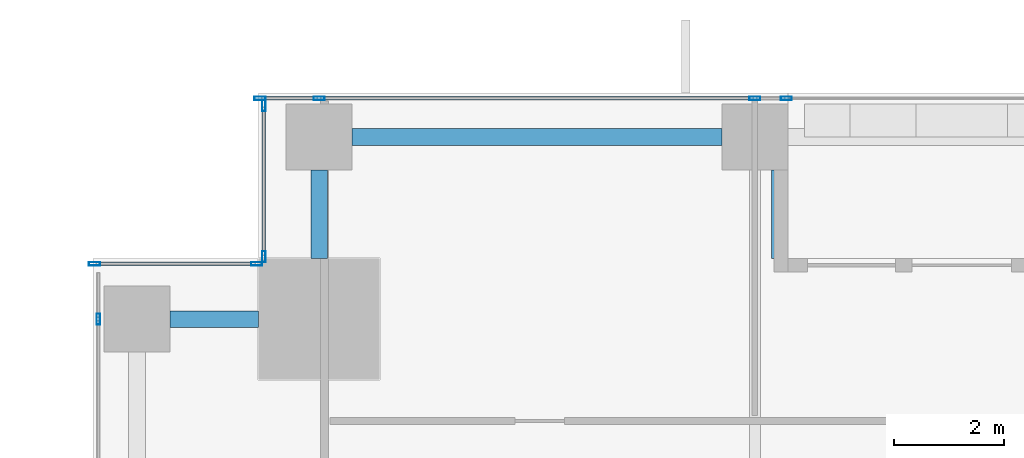
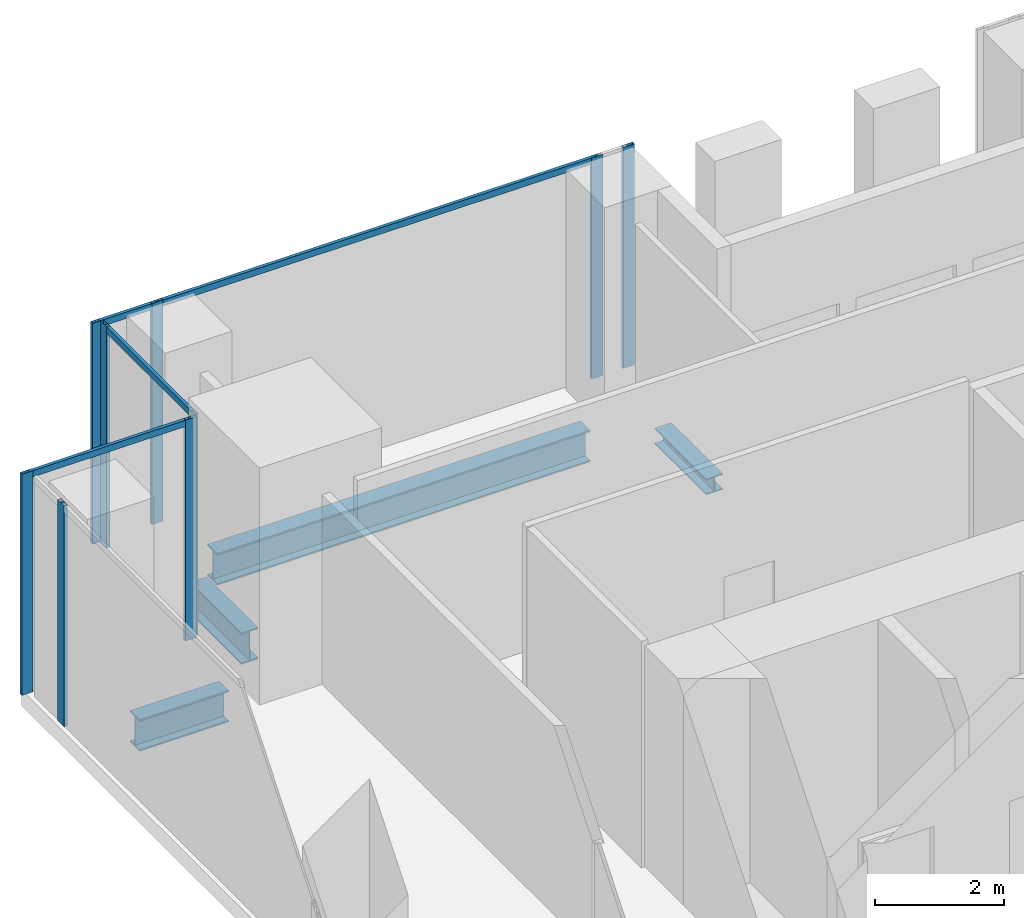
# One storey, part 14 of 32: 13 members, 4 beams, 4 elements without a shape of their own.
"""IFC4 building model written with IfcOpenShell, lengths in metres."""

from ifc_helpers import new_model, si_unit, direction, frame, origin, origin_2d, place, context, subcontext, project, spatial, hollow_rectangle, i_section, extrude, source, transform, mapped, material, material_profile, profile_set, type_object, element, aggregate, save


model = new_model("IFC4")

# Units and contexts
model_context = context("Model", 3, precision=1e-05, world=origin(), true_north=direction((0.0, 1.0)))
body_context = subcontext(model_context, "Body", "Model", "MODEL_VIEW")
ifc_project = project(units=[si_unit("LENGTHUNIT", "METRE"), si_unit("AREAUNIT", "SQUARE_METRE"), si_unit("VOLUMEUNIT", "CUBIC_METRE"), si_unit("PLANEANGLEUNIT", "RADIAN"), si_unit("MASSUNIT", "GRAM", prefix="KILO")], contexts=[model_context])

# Site, building, storey
site_placement = place(None, origin())
site = spatial("IfcSite", under=ifc_project, at=site_placement, CompositionType="ELEMENT")
building_placement = place(site_placement, origin())
building = spatial("IfcBuilding", under=site, at=building_placement, Name="Khomas Fold Tower", CompositionType="ELEMENT")
storey_placement = place(building_placement, frame((0.0, 0.0, 42.0)))
storey = spatial("IfcBuildingStorey", under=building, at=storey_placement, Name="L08", CompositionType="ELEMENT", Elevation=42.0)

# Beams
ifc_material_1 = material(Name="Steel S355", Category="steel")
ifc_material_profile_1 = material_profile(ifc_material_1, i_section(OverallWidth=0.300048828125, OverallDepth=0.60009765625, WebThickness=0.015380859375, FlangeThickness=0.030029296875, at=origin_2d()), Name="HE 600 B")
ifc_profile_set_1 = profile_set([ifc_material_profile_1], Name="Steel S355")
beam_type_1 = type_object("IfcBeamType", Name="HE 600 B spandrel SB1", PredefinedType="SPANDREL", material=ifc_profile_set_1)
shared_shape_1 = source(origin(), body_context, "Body", "SweptSolid", [
    extrude(i_section(OverallWidth=0.300048828125, OverallDepth=0.60009765625, WebThickness=0.015380859375, FlangeThickness=0.030029296875, at=origin_2d()), origin(), (0.0, 0.0, 1.0), 6.699951171875),
])
beam_1_placement = place(storey_placement, frame((4.699951171875, 53.199951171875, -0.60009765625), z_axis=(1.0, 0.0, 0.0), x_axis=(0.0, 1.0, 0.0)))
element("IfcBeam", 1, at=beam_1_placement, inside=storey, type_object=beam_type_1, Name="SB1", PredefinedType="SPANDREL", context=body_context, shape_type="MappedRepresentation", body=[
    mapped(shared_shape_1, transform((0.0, 0.0, 0.0))),
])
shared_shape_2 = source(origin(), body_context, "Body", "SweptSolid", [
    extrude(i_section(OverallWidth=0.300048828125, OverallDepth=0.60009765625, WebThickness=0.015380859375, FlangeThickness=0.030029296875, at=origin_2d()), origin(), (0.0, 0.0, 1.0), 1.60009765625),
])
for number, where, z_axis, x_axis, name in (
    (2, (4.10009765625, 51.0, -0.60009765625), (0.0, 1.0, 0.0), (-1.0, 0.0, 0.0), "SB1"),
    (3, (1.39990234375, 49.89990234375, -0.60009765625), (1.0, 0.0, 0.0), (0.0, 1.0, 0.0), "SB1"),
):
    element("IfcBeam", number, at=place(storey_placement, frame(where, z_axis=z_axis, x_axis=x_axis)), inside=storey, type_object=beam_type_1, Name=name, PredefinedType="SPANDREL", context=body_context, shape_type="MappedRepresentation", body=[
        mapped(shared_shape_2, transform((0.0, 0.0, 0.0))),
    ])
ifc_material_2 = material(Name="Steel S355", Category="steel")
ifc_material_profile_2 = material_profile(ifc_material_2, i_section(OverallWidth=0.300048828125, OverallDepth=0.300048828125, WebThickness=0.010986328125, FlangeThickness=0.01904296875, at=origin_2d()), Name="HE 300 B")
ifc_profile_set_2 = profile_set([ifc_material_profile_2], Name="Steel S355")
beam_type_2 = type_object("IfcBeamType", Name="HE 300 B beam BB1", PredefinedType="BEAM", material=ifc_profile_set_2)
shared_shape_3 = source(origin(), body_context, "Body", "SweptSolid", [
    extrude(i_section(OverallWidth=0.300048828125, OverallDepth=0.300048828125, WebThickness=0.010986328125, FlangeThickness=0.01904296875, at=origin_2d()), origin(), (0.0, 0.0, 1.0), 1.60009765625),
])
beam_2_placement = place(storey_placement, frame((12.449951171875, 51.0, -0.449951171875), z_axis=(0.0, 1.0, 0.0), x_axis=(-1.0, 0.0, 0.0)))
element("IfcBeam", 4, at=beam_2_placement, inside=storey, type_object=beam_type_2, Name="BB1", PredefinedType="BEAM", context=body_context, shape_type="MappedRepresentation", body=[
    mapped(shared_shape_3, transform((0.0, 0.0, 0.0))),
])

# Curtain wall, members
ifc_material_3 = material(Name="Aluminium framed double glazing", Category="aluminium")
curtain_wall_type = type_object("IfcCurtainWallType", Name="SK-Unitised clear-glass wall, growing floors CW1", PredefinedType="NOTDEFINED", material=ifc_material_3)
curtain_wall_1_placement = place(storey_placement, origin())
curtain_wall_1 = element("IfcCurtainWall", 5, at=curtain_wall_1_placement, inside=storey, type_object=curtain_wall_type, Name="CW1 run L08 06-1", PredefinedType="NOTDEFINED")
ifc_material_4 = material(Name="Aluminium", Category="aluminium")
ifc_material_profile_3 = material_profile(ifc_material_4, hollow_rectangle(XDim=0.06005859375, YDim=0.1201171875, WallThickness=0.00390625, at=origin_2d()), Name="SK-Unitised clear-glass wall, growing floors transom CW1-T")
ifc_profile_set_3 = profile_set([ifc_material_profile_3], Name="Aluminium")
member_type_1 = type_object("IfcMemberType", Name="SK-Unitised clear-glass wall, growing floors transom CW1-T", PredefinedType="USERDEFINED", material=ifc_profile_set_3)
shared_shape_4 = source(origin(), body_context, "Body", "SweptSolid", [
    extrude(hollow_rectangle(XDim=0.06005859375, YDim=0.1201171875, WallThickness=0.00390625, at=origin_2d()), origin(), (0.0, 0.0, 1.0), 7.840087890625),
])
member_1_placement = place(storey_placement, frame((11.969970703125, 53.89990234375, 4.139892578125), z_axis=(-1.0, 0.0, 0.0), x_axis=(0.0, -1.0, 0.0)))
member_1 = element("IfcMember", 6, at=member_1_placement, type_object=member_type_1, Name="CW1 transom 2", ObjectType="TRANSOM", PredefinedType="USERDEFINED", context=body_context, shape_type="MappedRepresentation", body=[
    mapped(shared_shape_4, transform((0.0, 0.0, 0.0))),
])
shared_shape_5 = source(origin(), body_context, "Body", "SweptSolid", [
    extrude(hollow_rectangle(XDim=0.06005859375, YDim=0.1201171875, WallThickness=0.00390625, at=origin_2d()), origin(), (0.0, 0.0, 1.0), 1.010009765625),
])
member_2_placement = place(storey_placement, frame((4.070068359375, 53.89990234375, 4.139892578125), z_axis=(-1.0, 0.0, 0.0), x_axis=(0.0, -1.0, 0.0)))
member_2 = element("IfcMember", 7, at=member_2_placement, type_object=member_type_1, Name="CW1 transom 3", ObjectType="TRANSOM", PredefinedType="USERDEFINED", context=body_context, shape_type="MappedRepresentation", body=[
    mapped(shared_shape_5, transform((0.0, 0.0, 0.0))),
])

# Curtain wall, member
curtain_wall_2_placement = place(storey_placement, origin())
curtain_wall_2 = element("IfcCurtainWall", 8, at=curtain_wall_2_placement, inside=storey, type_object=curtain_wall_type, Name="CW1 corner return L08 07", PredefinedType="NOTDEFINED")
shared_shape_6 = source(origin(), body_context, "Body", "SweptSolid", [
    extrude(hollow_rectangle(XDim=0.06005859375, YDim=0.1201171875, WallThickness=0.00390625, at=origin_2d()), origin(), (0.0, 0.0, 1.0), 2.679931640625),
])
member_3_placement = place(storey_placement, frame((3.10009765625, 53.739990234375, 4.139892578125), z_axis=(0.0, -1.0, 0.0), x_axis=(1.0, 0.0, 0.0)))
member_3 = element("IfcMember", 9, at=member_3_placement, type_object=member_type_1, Name="CW1 transom 1", ObjectType="TRANSOM", PredefinedType="USERDEFINED", context=body_context, shape_type="MappedRepresentation", body=[
    mapped(shared_shape_6, transform((0.0, 0.0, 0.0))),
])

curtain_wall_3_placement = place(storey_placement, origin())
curtain_wall_3 = element("IfcCurtainWall", 10, at=curtain_wall_3_placement, inside=storey, type_object=curtain_wall_type, Name="CW1 corner return L08 08", PredefinedType="NOTDEFINED")
shared_shape_7 = source(origin(), body_context, "Body", "SweptSolid", [
    extrude(hollow_rectangle(XDim=0.06005859375, YDim=0.1201171875, WallThickness=0.00390625, at=origin_2d()), origin(), (0.0, 0.0, 1.0), 2.8798828125),
])
member_4_placement = place(storey_placement, frame((2.93994140625, 50.89990234375, 4.139892578125), z_axis=(-1.0, 0.0, 0.0), x_axis=(0.0, -1.0, 0.0)))
member_4 = element("IfcMember", 11, at=member_4_placement, type_object=member_type_1, Name="CW1 transom 1", ObjectType="TRANSOM", PredefinedType="USERDEFINED", context=body_context, shape_type="MappedRepresentation", body=[
    mapped(shared_shape_7, transform((0.0, 0.0, 0.0))),
])

# Member
ifc_material_5 = material(Name="Aluminium", Category="aluminium")
ifc_material_profile_4 = material_profile(ifc_material_5, hollow_rectangle(XDim=0.06005859375, YDim=0.199951171875, WallThickness=0.00390625, at=origin_2d()), Name="SK-Unitised clear-glass wall, growing floors mullion CW1-M")
ifc_profile_set_4 = profile_set([ifc_material_profile_4], Name="Aluminium")
member_type_2 = type_object("IfcMemberType", Name="SK-Unitised clear-glass wall, growing floors mullion CW1-M", PredefinedType="MULLION", material=ifc_profile_set_4)
shared_shape_8 = source(origin(), body_context, "Body", "SweptSolid", [
    extrude(hollow_rectangle(XDim=0.06005859375, YDim=0.199951171875, WallThickness=0.00390625, at=origin_2d()), origin(), (0.0, 0.0, 1.0), 4.199951171875),
])
member_5_placement = place(storey_placement, frame((12.570068359375, 53.89990234375, 0.0), z_axis=(0.0, 0.0, 1.0), x_axis=(0.0, -1.0, 0.0)))
member_5 = element("IfcMember", 12, at=member_5_placement, type_object=member_type_2, Name="CW1 mullion 1", PredefinedType="MULLION", context=body_context, shape_type="MappedRepresentation", body=[
    mapped(shared_shape_8, transform((0.0, 0.0, 0.0))),
])

member_6_placement = place(storey_placement, frame((12.0, 53.89990234375, 0.0), z_axis=(0.0, 0.0, 1.0), x_axis=(0.0, -1.0, 0.0)))
member_6 = element("IfcMember", 13, at=member_6_placement, type_object=member_type_2, Name="CW1 mullion 2", PredefinedType="MULLION", context=body_context, shape_type="MappedRepresentation", body=[
    mapped(shared_shape_8, transform((0.0, 0.0, 0.0))),
])

member_7_placement = place(storey_placement, frame((4.10009765625, 53.89990234375, 0.0), z_axis=(0.0, 0.0, 1.0), x_axis=(0.0, -1.0, 0.0)))
member_7 = element("IfcMember", 14, at=member_7_placement, type_object=member_type_2, Name="CW1 mullion 3", PredefinedType="MULLION", context=body_context, shape_type="MappedRepresentation", body=[
    mapped(shared_shape_8, transform((0.0, 0.0, 0.0))),
])

member_8_placement = place(storey_placement, frame((3.030029296875, 53.89990234375, 0.0), z_axis=(0.0, 0.0, 1.0), x_axis=(0.0, -1.0, 0.0)))
member_8 = element("IfcMember", 15, at=member_8_placement, type_object=member_type_2, Name="CW1 mullion 4", PredefinedType="MULLION", context=body_context, shape_type="MappedRepresentation", body=[
    mapped(shared_shape_8, transform((0.0, 0.0, 0.0))),
])

aggregate(curtain_wall_1, [member_5, member_6, member_7, member_8, member_1, member_2])

member_9_placement = place(storey_placement, frame((3.10009765625, 53.77001953125, 0.0), z_axis=(0.0, 0.0, 1.0), x_axis=(1.0, 0.0, 0.0)))
member_9 = element("IfcMember", 16, at=member_9_placement, type_object=member_type_2, Name="CW1 mullion 1", PredefinedType="MULLION", context=body_context, shape_type="MappedRepresentation", body=[
    mapped(shared_shape_8, transform((0.0, 0.0, 0.0))),
])

member_10_placement = place(storey_placement, frame((3.10009765625, 51.030029296875, 0.0), z_axis=(0.0, 0.0, 1.0), x_axis=(1.0, 0.0, 0.0)))
member_10 = element("IfcMember", 17, at=member_10_placement, type_object=member_type_2, Name="CW1 mullion 2", PredefinedType="MULLION", context=body_context, shape_type="MappedRepresentation", body=[
    mapped(shared_shape_8, transform((0.0, 0.0, 0.0))),
])

aggregate(curtain_wall_2, [member_9, member_10, member_3])

member_11_placement = place(storey_placement, frame((2.969970703125, 50.89990234375, 0.0), z_axis=(0.0, 0.0, 1.0), x_axis=(0.0, -1.0, 0.0)))
member_11 = element("IfcMember", 18, at=member_11_placement, type_object=member_type_2, Name="CW1 mullion 1", PredefinedType="MULLION", context=body_context, shape_type="MappedRepresentation", body=[
    mapped(shared_shape_8, transform((0.0, 0.0, 0.0))),
])

member_12_placement = place(storey_placement, frame((0.030029296875, 50.89990234375, 0.0), z_axis=(0.0, 0.0, 1.0), x_axis=(0.0, -1.0, 0.0)))
member_12 = element("IfcMember", 19, at=member_12_placement, type_object=member_type_2, Name="CW1 mullion 2", PredefinedType="MULLION", context=body_context, shape_type="MappedRepresentation", body=[
    mapped(shared_shape_8, transform((0.0, 0.0, 0.0))),
])

aggregate(curtain_wall_3, [member_11, member_12, member_4])

# Curtain wall, member
curtain_wall_4_placement = place(storey_placement, origin())
curtain_wall_4 = element("IfcCurtainWall", 20, at=curtain_wall_4_placement, inside=storey, type_object=curtain_wall_type, Name="CW1 run L08 09-0", PredefinedType="NOTDEFINED")
member_13_placement = place(storey_placement, frame((0.10009765625, 49.89990234375, 0.0), z_axis=(0.0, 0.0, 1.0), x_axis=(1.0, 0.0, 0.0)))
member_13 = element("IfcMember", 21, at=member_13_placement, type_object=member_type_2, Name="CW1 mullion 2", PredefinedType="MULLION", context=body_context, shape_type="MappedRepresentation", body=[
    mapped(shared_shape_8, transform((0.0, 0.0, 0.0))),
])
aggregate(curtain_wall_4, [member_13])

save(model, "model.ifc")
